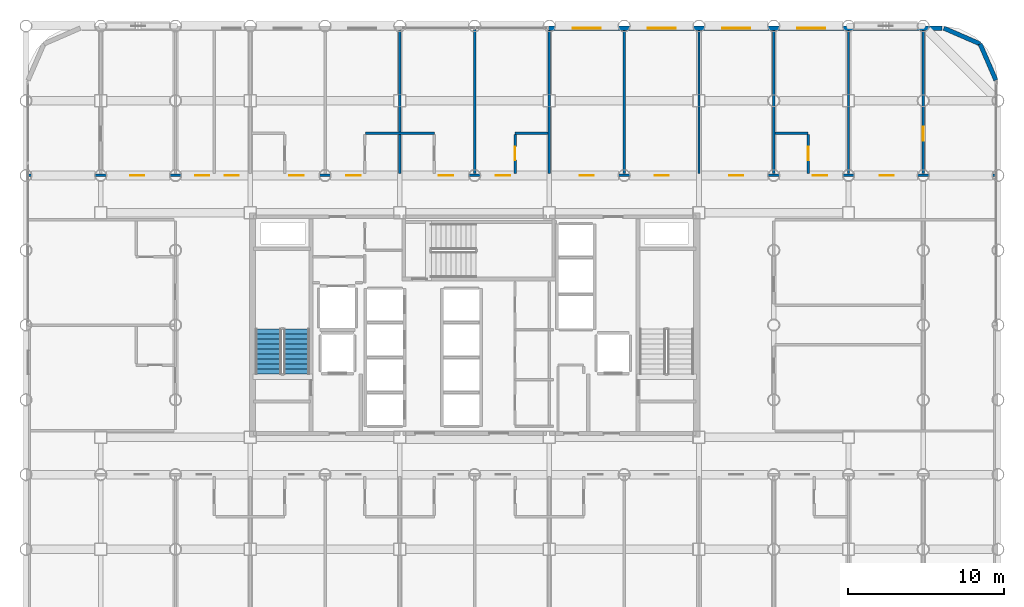
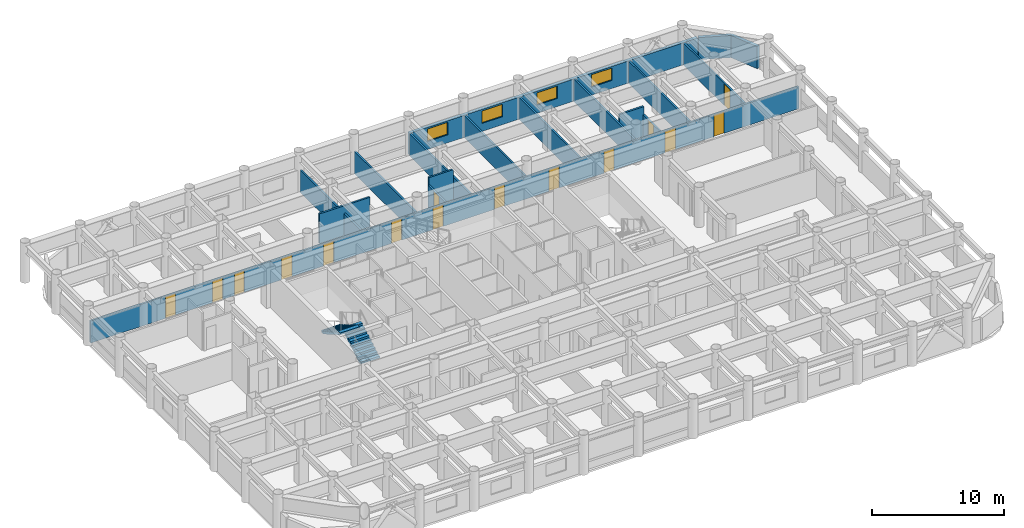
# One storey, part 19 of 21: 17 walls, 15 doors, 4 windows, 2 stair flights, 19 openings, 1 element without a shape of its own.
"""IFC4 building model written with IfcOpenShell, lengths in metres."""

import ifcopenshell
import ifcopenshell.guid

model = None  # the IFC model being written
_history = None  # IfcOwnerHistory: only IFC2X3 demands one
_inside = {}  # id of a spatial element -> (the spatial element, [elements in it])
_under = {}  # id of a project, library or spatial element -> (it, [spatial elements below it])
_declared = {}  # id of a project -> (the project, [libraries it declares])
_typed = {}  # id of a type object -> (the type object, [elements of that type])
_made_of = {}  # id of a material, layer set ... -> (it, [elements and type objects made of it])


def new_model(schema):
    """Start an empty IFC model of exactly this schema.

    Asked for "IFC4X3", IfcOpenShell would pick the latest addendum, in which some entities
    have other attributes; the version numbers below select the first issue.
    IFC2X3 requires an IfcOwnerHistory on every rooted entity: one is made here for all.
    """
    global model, _history
    if schema == "IFC4X3":
        model = ifcopenshell.file(schema_version=(4, 3, 0, 0))
    else:
        model = ifcopenshell.file(schema=schema)
    _inside.clear()
    _under.clear()
    _declared.clear()
    _typed.clear()
    _made_of.clear()
    _history = None
    if model.schema == "IFC2X3":
        org = make("IfcOrganization", Name="unknown")
        user = make(
            "IfcPersonAndOrganization",
            ThePerson=make("IfcPerson", FamilyName="unknown"),
            TheOrganization=org,
        )
        app = make(
            "IfcApplication",
            ApplicationDeveloper=org,
            Version="unknown",
            ApplicationFullName="unknown",
            ApplicationIdentifier="unknown",
        )
        _history = make(
            "IfcOwnerHistory",
            OwningUser=user,
            OwningApplication=app,
            ChangeAction="ADDED",
            CreationDate=0,
        )
    return model


def make(cls, **values):
    """One entity of the class cls with the attributes given. An attribute that is None is left unset."""
    return model.create_entity(
        cls, **{name: value for name, value in values.items() if value is not None}
    )


def rooted(cls, **values):
    """An entity with a GlobalId (a new one), such as an element, a storey or a relation."""
    return make(cls, GlobalId=ifcopenshell.guid.new(), OwnerHistory=_history, **values)


def si_unit(unit_type, name, prefix=None):
    """IfcSIUnit, for example si_unit("LENGTHUNIT", "METRE", prefix="MILLI")."""
    return make("IfcSIUnit", UnitType=unit_type, Prefix=prefix, Name=name)


def assignment(units):
    """IfcUnitAssignment: the units of a project."""
    return None if units is None else make("IfcUnitAssignment", Units=units)


def point(xyz):
    """IfcCartesianPoint."""
    return None if xyz is None else make("IfcCartesianPoint", Coordinates=xyz)


def direction(xyz):
    """IfcDirection."""
    return None if xyz is None else make("IfcDirection", DirectionRatios=xyz)


def frame(location, z_axis=None, x_axis=None):
    """IfcAxis2Placement3D, a coordinate frame: its origin and axes. An axis left out is left unset."""
    return make(
        "IfcAxis2Placement3D",
        Location=point(location),
        Axis=direction(z_axis),
        RefDirection=direction(x_axis),
    )


def frame_2d(location, x_axis=None):
    """IfcAxis2Placement2D, a coordinate frame in the plane: its origin and x axis."""
    return make(
        "IfcAxis2Placement2D", Location=point(location), RefDirection=direction(x_axis)
    )


def origin():
    """The frame at (0, 0, 0) with its axes left unset."""
    return frame((0.0, 0.0, 0.0))


def place(relative_to, where):
    """IfcLocalPlacement: puts the frame where relative to a parent placement (None: the world)."""
    return make(
        "IfcLocalPlacement", PlacementRelTo=relative_to, RelativePlacement=where
    )


def context(
    kind, dimensions, precision=None, world=None, true_north=None, identifier=None
):
    """IfcGeometricRepresentationContext, for example the 3D "Model" context."""
    return make(
        "IfcGeometricRepresentationContext",
        ContextIdentifier=identifier,
        ContextType=kind,
        CoordinateSpaceDimension=dimensions,
        Precision=precision,
        WorldCoordinateSystem=world,
        TrueNorth=true_north,
    )


def subcontext(parent, identifier, kind, view, scale=None):
    """IfcGeometricRepresentationSubContext, for example "Body" below "Model"."""
    return make(
        "IfcGeometricRepresentationSubContext",
        ContextIdentifier=identifier,
        ContextType=kind,
        ParentContext=parent,
        TargetScale=scale,
        TargetView=view,
    )


def project(units=None, contexts=None):
    """IfcProject with its units and contexts."""
    return rooted(
        "IfcProject",
        Name="project",
        RepresentationContexts=contexts,
        UnitsInContext=assignment(units),
    )


def spatial(cls, under=None, at=None, **own):
    """A site, building, storey or space (cls), placed at a placement, below another one or the project."""
    s = rooted(cls, ObjectPlacement=at, **own)
    if under is not None:
        _under.setdefault(under.id(), (under, []))[1].append(s)
    return s


def polyline(points):
    """IfcPolyline through the points."""
    return make("IfcPolyline", Points=[point(p) for p in points])


def profile(cls, at=None, kind="AREA", **sizes):
    """A parametric profile (cls). Its sizes go by their IFC names, for example OverallWidth=200.0."""
    return make(cls, ProfileType=kind, Position=at, **sizes)


def rectangle(**sizes):
    """IfcRectangleProfileDef."""
    return profile("IfcRectangleProfileDef", **sizes)


def outline(outer, holes=None, kind="AREA"):
    """IfcArbitraryClosedProfileDef: a profile drawn as a closed curve; with holes, ...WithVoids."""
    if holes is None:
        return make("IfcArbitraryClosedProfileDef", ProfileType=kind, OuterCurve=outer)
    return make(
        "IfcArbitraryProfileDefWithVoids",
        ProfileType=kind,
        OuterCurve=outer,
        InnerCurves=holes,
    )


def extrude(swept, where, along, depth):
    """IfcExtrudedAreaSolid: the profile swept, set in the frame where, extruded along a direction by depth."""
    return make(
        "IfcExtrudedAreaSolid",
        SweptArea=swept,
        Position=where,
        ExtrudedDirection=direction(along),
        Depth=depth,
    )


def shape(context_of_items, identifier, shape_type, items):
    """IfcShapeRepresentation: the items that make up one representation, for example the "Body"."""
    return make(
        "IfcShapeRepresentation",
        ContextOfItems=context_of_items,
        RepresentationIdentifier=identifier,
        RepresentationType=shape_type,
        Items=items,
    )


def material(Name=None, Category=None):
    """IfcMaterial."""
    return make("IfcMaterial", Name=Name, Category=Category)


def layer(
    of_material, thickness, ventilated=None, Name=None, Category=None, Priority=None
):
    """IfcMaterialLayer: one layer of a wall or slab, of a material (None: an air gap)."""
    return make(
        "IfcMaterialLayer",
        Material=of_material,
        LayerThickness=thickness,
        IsVentilated=ventilated,
        Name=Name,
        Category=Category,
        Priority=Priority,
    )


def layer_set(layers, Name=None):
    """IfcMaterialLayerSet."""
    return make("IfcMaterialLayerSet", MaterialLayers=layers, LayerSetName=Name)


def made_of(thing, what):
    """Note that an element or type object is made of a material, layer set ...; save() writes the relation."""
    if what is not None:
        _made_of.setdefault(what.id(), (what, []))[1].append(thing)
    return thing


def type_object(cls, material=None, **own):
    """A type object (cls), such as IfcWallType, which elements share."""
    return made_of(rooted(cls, **own), material)


def element(
    cls,
    number,
    at=None,
    inside=None,
    cuts=None,
    type_object=None,
    material=None,
    context=None,
    identifier="Body",
    shape_type=None,
    held_by="IfcProductDefinitionShape",
    body=None,
    shapes=None,
    **own,
):
    """One element of the class cls, such as IfcWall. Its Tag is "e" and its number.

    at: its placement. inside: the storey or other place that contains it. cuts: it is an
    opening in that element (IfcRelVoidsElement). A single representation is given by context,
    identifier, shape_type and body (its items); several are given by shapes. held_by: the class
    of the entity that holds the representations. save() writes the other relations.
    """
    e = rooted(cls, Tag="e%d" % number, ObjectPlacement=at, **own)
    if body is not None:
        shapes = [shape(context, identifier, shape_type, body)]
    if shapes is not None:
        e.Representation = make(held_by, Representations=shapes)
    if inside is not None:
        _inside.setdefault(inside.id(), (inside, []))[1].append(e)
    if cuts is not None:
        rooted(
            "IfcRelVoidsElement", RelatingBuildingElement=cuts, RelatedOpeningElement=e
        )
    if type_object is not None:
        _typed.setdefault(type_object.id(), (type_object, []))[1].append(e)
    return made_of(e, material)


def fill(opening, filler):
    """IfcRelFillsElement: the door or window that sits in an opening."""
    return rooted(
        "IfcRelFillsElement",
        RelatingOpeningElement=opening,
        RelatedBuildingElement=filler,
    )


def aggregate(whole, parts):
    """IfcRelAggregates: a whole, such as a stair, and the parts it consists of."""
    return rooted("IfcRelAggregates", RelatingObject=whole, RelatedObjects=parts)


def save(model, path):
    """Write the relations noted so far, then the file.

    IfcRelAggregates (storeys below a building ...), IfcRelContainedInSpatialStructure (elements
    in a storey), IfcRelDefinesByType, IfcRelAssociatesMaterial and IfcRelDeclares: one each for
    every whole, place, type object, material and project.
    """
    for whole, parts in _under.values():
        aggregate(whole, parts)
    for where, things in _inside.values():
        rooted(
            "IfcRelContainedInSpatialStructure",
            RelatedElements=things,
            RelatingStructure=where,
        )
    for kind, things in _typed.values():
        rooted("IfcRelDefinesByType", RelatedObjects=things, RelatingType=kind)
    for what, things in _made_of.values():
        rooted("IfcRelAssociatesMaterial", RelatedObjects=things, RelatingMaterial=what)
    for by, libraries in _declared.values():
        rooted("IfcRelDeclares", RelatingContext=by, RelatedDefinitions=libraries)
    model.write(path)


model = new_model("IFC4")

# Units and contexts
model_context = context("Model", 3, precision=1e-05, world=origin(), true_north=direction((0.0, 1.0)))
body_context = subcontext(model_context, "Body", "Model", "MODEL_VIEW")
ifc_project = project(units=[si_unit("LENGTHUNIT", "METRE"), si_unit("AREAUNIT", "SQUARE_METRE"), si_unit("VOLUMEUNIT", "CUBIC_METRE"), si_unit("PLANEANGLEUNIT", "RADIAN"), si_unit("MASSUNIT", "GRAM", prefix="KILO")], contexts=[model_context])

# Site, building, storey
site_placement = place(None, origin())
site = spatial("IfcSite", under=ifc_project, at=site_placement, CompositionType="ELEMENT")
building_placement = place(site_placement, origin())
building = spatial("IfcBuilding", under=site, at=building_placement, Name="Kallvorn Hotel Tower", CompositionType="ELEMENT")
storey_placement = place(building_placement, frame((0.0, 0.0, 85.5)))
storey = spatial("IfcBuildingStorey", under=building, at=storey_placement, Name="L20", CompositionType="ELEMENT", Elevation=85.5)

# Wall, openings, doors
ifc_material_1 = material(Name="Fire-rated double-layer acoustic gypsum drywall EI 60")
ifc_layer_1 = layer(ifc_material_1, 0.159912109375)
ifc_layer_set_1 = layer_set([ifc_layer_1], Name="WL_DEMISE_160")
wall_type_1 = type_object("IfcWallType", Name="WL_DEMISE_160", PredefinedType="PARTITIONING", material=ifc_layer_set_1)
wall_1_placement = place(storey_placement, frame((-28.6298828125, 9.60009765625, 0.0), z_axis=(0.0, 0.0, 1.0), x_axis=(1.0, 0.0, 0.0)))
wall_1 = element("IfcWall", 1, at=wall_1_placement, inside=storey, type_object=wall_type_1, Name="L20 Suite 2010 Standard Twin Room Partition", PredefinedType="PARTITIONING", context=body_context, shape_type="SweptSolid", body=[
    extrude(rectangle(XDim=62.059814453125, YDim=0.159912109375, at=frame_2d((31.02978515625, 0.0))), origin(), (0.0, 0.0, 1.0), 2.050048828125),
])
opening_1_placement = place(wall_1_placement, frame((6.5400390625, 0.0, 0.0)))
opening_1 = element("IfcOpeningElement", 2, at=opening_1_placement, cuts=wall_1, Name="Opening SVD1A", PredefinedType="OPENING", context=body_context, shape_type="SweptSolid", body=[
    extrude(rectangle(XDim=0.89990234375, YDim=2.02001953125, at=frame_2d((0.449951171875, 1.010009765625))), frame((0.0, 0.094970703125, 0.0), z_axis=(0.0, -1.0, 0.0), x_axis=(1.0, 0.0, 0.0)), (0.0, 0.0, 1.0), 0.18994140625),
])
opening_2_placement = place(wall_1_placement, frame((54.6201171875, 0.0, 0.0)))
opening_2 = element("IfcOpeningElement", 3, at=opening_2_placement, cuts=wall_1, Name="Opening SVD1A", PredefinedType="OPENING", context=body_context, shape_type="SweptSolid", body=[
    extrude(rectangle(XDim=0.89990234375, YDim=2.02001953125, at=frame_2d((0.449951171875, 1.010009765625))), frame((0.0, 0.094970703125, 0.0), z_axis=(0.0, -1.0, 0.0), x_axis=(1.0, 0.0, 0.0)), (0.0, 0.0, 1.0), 0.18994140625),
])
opening_3_placement = place(wall_1_placement, frame((10.68994140625, 0.0, 0.0)))
opening_3 = element("IfcOpeningElement", 4, at=opening_3_placement, cuts=wall_1, Name="Opening SVD1A", PredefinedType="OPENING", context=body_context, shape_type="SweptSolid", body=[
    extrude(rectangle(XDim=0.89990234375, YDim=2.02001953125, at=frame_2d((0.449951171875, 1.010009765625))), frame((0.0, 0.094970703125, 0.0), z_axis=(0.0, -1.0, 0.0), x_axis=(1.0, 0.0, 0.0)), (0.0, 0.0, 1.0), 0.18994140625),
])
opening_4_placement = place(wall_1_placement, frame((12.580078125, 0.0, 0.0)))
opening_4 = element("IfcOpeningElement", 5, at=opening_4_placement, cuts=wall_1, Name="Opening SVD1A", PredefinedType="OPENING", context=body_context, shape_type="SweptSolid", body=[
    extrude(rectangle(XDim=0.89990234375, YDim=2.02001953125, at=frame_2d((0.449951171875, 1.010009765625))), frame((0.0, 0.094970703125, 0.0), z_axis=(0.0, -1.0, 0.0), x_axis=(1.0, 0.0, 0.0)), (0.0, 0.0, 1.0), 0.18994140625),
])
opening_5_placement = place(wall_1_placement, frame((16.739990234375, 0.0, 0.0)))
opening_5 = element("IfcOpeningElement", 6, at=opening_5_placement, cuts=wall_1, Name="Opening GD1A", PredefinedType="OPENING", context=body_context, shape_type="SweptSolid", body=[
    extrude(rectangle(XDim=0.919921875, YDim=2.02001953125, at=frame_2d((0.4599609375, 1.010009765625))), frame((0.0, 0.094970703125, 0.0), z_axis=(0.0, -1.0, 0.0), x_axis=(1.0, 0.0, 0.0)), (0.0, 0.0, 1.0), 0.18994140625),
])
opening_6_placement = place(wall_1_placement, frame((20.39990234375, 0.0, 0.0)))
opening_6 = element("IfcOpeningElement", 7, at=opening_6_placement, cuts=wall_1, Name="Opening GD1A", PredefinedType="OPENING", context=body_context, shape_type="SweptSolid", body=[
    extrude(rectangle(XDim=0.919921875, YDim=2.02001953125, at=frame_2d((0.4599609375, 1.010009765625))), frame((0.0, 0.094970703125, 0.0), z_axis=(0.0, -1.0, 0.0), x_axis=(1.0, 0.0, 0.0)), (0.0, 0.0, 1.0), 0.18994140625),
])
opening_7_placement = place(wall_1_placement, frame((26.340087890625, 0.0, 0.0)))
opening_7 = element("IfcOpeningElement", 8, at=opening_7_placement, cuts=wall_1, Name="Opening GD1A", PredefinedType="OPENING", context=body_context, shape_type="SweptSolid", body=[
    extrude(rectangle(XDim=0.919921875, YDim=2.02001953125, at=frame_2d((0.4599609375, 1.010009765625))), frame((0.0, 0.094970703125, 0.0), z_axis=(0.0, -1.0, 0.0), x_axis=(1.0, 0.0, 0.0)), (0.0, 0.0, 1.0), 0.18994140625),
])
opening_8_placement = place(wall_1_placement, frame((30.0, 0.0, 0.0)))
opening_8 = element("IfcOpeningElement", 9, at=opening_8_placement, cuts=wall_1, Name="Opening GD1A", PredefinedType="OPENING", context=body_context, shape_type="SweptSolid", body=[
    extrude(rectangle(XDim=0.919921875, YDim=2.02001953125, at=frame_2d((0.4599609375, 1.010009765625))), frame((0.0, 0.094970703125, 0.0), z_axis=(0.0, -1.0, 0.0), x_axis=(1.0, 0.0, 0.0)), (0.0, 0.0, 1.0), 0.18994140625),
])
opening_9_placement = place(wall_1_placement, frame((35.3798828125, 0.0, 0.0)))
opening_9 = element("IfcOpeningElement", 10, at=opening_9_placement, cuts=wall_1, Name="Opening SVD1A", PredefinedType="OPENING", context=body_context, shape_type="SweptSolid", body=[
    extrude(rectangle(XDim=0.89990234375, YDim=2.02001953125, at=frame_2d((0.449951171875, 1.010009765625))), frame((0.0, 0.094970703125, 0.0), z_axis=(0.0, -1.0, 0.0), x_axis=(1.0, 0.0, 0.0)), (0.0, 0.0, 1.0), 0.18994140625),
])
opening_10_placement = place(wall_1_placement, frame((40.179931640625, 0.0, 0.0)))
opening_10 = element("IfcOpeningElement", 11, at=opening_10_placement, cuts=wall_1, Name="Opening SVD1A", PredefinedType="OPENING", context=body_context, shape_type="SweptSolid", body=[
    extrude(rectangle(XDim=0.89990234375, YDim=2.02001953125, at=frame_2d((0.449951171875, 1.010009765625))), frame((0.0, 0.094970703125, 0.0), z_axis=(0.0, -1.0, 0.0), x_axis=(1.0, 0.0, 0.0)), (0.0, 0.0, 1.0), 0.18994140625),
])
opening_11_placement = place(wall_1_placement, frame((44.97998046875, 0.0, 0.0)))
opening_11 = element("IfcOpeningElement", 12, at=opening_11_placement, cuts=wall_1, Name="Opening SVD1A", PredefinedType="OPENING", context=body_context, shape_type="SweptSolid", body=[
    extrude(rectangle(XDim=0.89990234375, YDim=2.02001953125, at=frame_2d((0.449951171875, 1.010009765625))), frame((0.0, 0.094970703125, 0.0), z_axis=(0.0, -1.0, 0.0), x_axis=(1.0, 0.0, 0.0)), (0.0, 0.0, 1.0), 0.18994140625),
])
opening_12_placement = place(wall_1_placement, frame((50.340087890625, 0.0, 0.0)))
opening_12 = element("IfcOpeningElement", 13, at=opening_12_placement, cuts=wall_1, Name="Opening GD1A", PredefinedType="OPENING", context=body_context, shape_type="SweptSolid", body=[
    extrude(rectangle(XDim=0.919921875, YDim=2.02001953125, at=frame_2d((0.4599609375, 1.010009765625))), frame((0.0, 0.094970703125, 0.0), z_axis=(0.0, -1.0, 0.0), x_axis=(1.0, 0.0, 0.0)), (0.0, 0.0, 1.0), 0.18994140625),
])
ifc_material_2 = material(Name="Solid-core walnut veneer fire-rated timber door leaf", Category="wood")
door_type_1 = type_object("IfcDoorType", Name="DR_GUEST_920x2020", OperationType="NOTDEFINED", PredefinedType="DOOR", material=ifc_material_2)
door_1_placement = place(opening_5_placement, origin())
door_1 = element("IfcDoor", 14, at=door_1_placement, inside=storey, type_object=door_type_1, Name="L20 Suite 2010 Standard Twin Room Door", OperationType="SINGLE_SWING_LEFT", OverallHeight=2.02001953125, OverallWidth=0.919921875, PredefinedType="DOOR", context=body_context, shape_type="SweptSolid", body=[
    extrude(rectangle(XDim=0.919921875, YDim=2.02001953125, at=frame_2d((0.4599609375, 1.010009765625))), frame((0.0, 0.02490234375, 0.0), z_axis=(0.0, -1.0, 0.0), x_axis=(1.0, 0.0, 0.0)), (0.0, 0.0, 1.0), 0.050048828125),
])
fill(opening_5, door_1)
door_2_placement = place(opening_6_placement, origin())
door_2 = element("IfcDoor", 15, at=door_2_placement, inside=storey, type_object=door_type_1, Name="L20 Suite 2011 Standard Twin Room Door", OperationType="SINGLE_SWING_RIGHT", OverallHeight=2.02001953125, OverallWidth=0.919921875, PredefinedType="DOOR", context=body_context, shape_type="SweptSolid", body=[
    extrude(rectangle(XDim=0.919921875, YDim=2.02001953125, at=frame_2d((0.4599609375, 1.010009765625))), frame((0.0, 0.02490234375, 0.0), z_axis=(0.0, -1.0, 0.0), x_axis=(1.0, 0.0, 0.0)), (0.0, 0.0, 1.0), 0.050048828125),
])
fill(opening_6, door_2)
door_3_placement = place(opening_7_placement, origin())
door_3 = element("IfcDoor", 16, at=door_3_placement, inside=storey, type_object=door_type_1, Name="L20 Suite 2012 Standard Twin Room Door", OperationType="SINGLE_SWING_RIGHT", OverallHeight=2.02001953125, OverallWidth=0.919921875, PredefinedType="DOOR", context=body_context, shape_type="SweptSolid", body=[
    extrude(rectangle(XDim=0.919921875, YDim=2.02001953125, at=frame_2d((0.4599609375, 1.010009765625))), frame((0.0, 0.02490234375, 0.0), z_axis=(0.0, -1.0, 0.0), x_axis=(1.0, 0.0, 0.0)), (0.0, 0.0, 1.0), 0.050048828125),
])
fill(opening_7, door_3)
door_4_placement = place(opening_8_placement, origin())
door_4 = element("IfcDoor", 17, at=door_4_placement, inside=storey, type_object=door_type_1, Name="L20 Suite 2013 Standard Twin Room Door", OperationType="SINGLE_SWING_RIGHT", OverallHeight=2.02001953125, OverallWidth=0.919921875, PredefinedType="DOOR", context=body_context, shape_type="SweptSolid", body=[
    extrude(rectangle(XDim=0.919921875, YDim=2.02001953125, at=frame_2d((0.4599609375, 1.010009765625))), frame((0.0, 0.02490234375, 0.0), z_axis=(0.0, -1.0, 0.0), x_axis=(1.0, 0.0, 0.0)), (0.0, 0.0, 1.0), 0.050048828125),
])
fill(opening_8, door_4)
door_5_placement = place(opening_12_placement, origin())
door_5 = element("IfcDoor", 18, at=door_5_placement, inside=storey, type_object=door_type_1, Name="L20 Suite 2014 Standard Twin Room Door", OperationType="SINGLE_SWING_LEFT", OverallHeight=2.02001953125, OverallWidth=0.919921875, PredefinedType="DOOR", context=body_context, shape_type="SweptSolid", body=[
    extrude(rectangle(XDim=0.919921875, YDim=2.02001953125, at=frame_2d((0.4599609375, 1.010009765625))), frame((0.0, 0.02490234375, 0.0), z_axis=(0.0, -1.0, 0.0), x_axis=(1.0, 0.0, 0.0)), (0.0, 0.0, 1.0), 0.050048828125),
])
fill(opening_12, door_5)
ifc_material_3 = material(Name="Galvanised painted steel fire-rated door assembly", Category="steel")
door_type_2 = type_object("IfcDoorType", Name="DR_SERV_900x2020", OperationType="NOTDEFINED", PredefinedType="DOOR", material=ifc_material_3)
door_6_placement = place(opening_1_placement, origin())
door_6 = element("IfcDoor", 19, at=door_6_placement, inside=storey, type_object=door_type_2, Name="L20 L20 North-West Fitness Gymnasium B Door", OperationType="SINGLE_SWING_RIGHT", OverallHeight=2.02001953125, OverallWidth=0.89990234375, PredefinedType="DOOR", context=body_context, shape_type="SweptSolid", body=[
    extrude(rectangle(XDim=0.89990234375, YDim=2.02001953125, at=frame_2d((0.449951171875, 1.010009765625))), frame((0.0, 0.02490234375, 0.0), z_axis=(0.0, -1.0, 0.0), x_axis=(1.0, 0.0, 0.0)), (0.0, 0.0, 1.0), 0.050048828125),
])
fill(opening_1, door_6)
door_7_placement = place(opening_2_placement, origin())
door_7 = element("IfcDoor", 20, at=door_7_placement, inside=storey, type_object=door_type_2, Name="L20 L20 North-East Reading Club A Door", OperationType="SINGLE_SWING_LEFT", OverallHeight=2.02001953125, OverallWidth=0.89990234375, PredefinedType="DOOR", context=body_context, shape_type="SweptSolid", body=[
    extrude(rectangle(XDim=0.89990234375, YDim=2.02001953125, at=frame_2d((0.449951171875, 1.010009765625))), frame((0.0, 0.02490234375, 0.0), z_axis=(0.0, -1.0, 0.0), x_axis=(1.0, 0.0, 0.0)), (0.0, 0.0, 1.0), 0.050048828125),
])
fill(opening_2, door_7)
door_8_placement = place(opening_3_placement, origin())
door_8 = element("IfcDoor", 21, at=door_8_placement, inside=storey, type_object=door_type_2, Name="L20 Housekeeping and Linen Room Door", OperationType="SINGLE_SWING_LEFT", OverallHeight=2.02001953125, OverallWidth=0.89990234375, PredefinedType="DOOR", context=body_context, shape_type="SweptSolid", body=[
    extrude(rectangle(XDim=0.89990234375, YDim=2.02001953125, at=frame_2d((0.449951171875, 1.010009765625))), frame((0.0, 0.02490234375, 0.0), z_axis=(0.0, -1.0, 0.0), x_axis=(1.0, 0.0, 0.0)), (0.0, 0.0, 1.0), 0.050048828125),
])
fill(opening_3, door_8)
door_9_placement = place(opening_4_placement, origin())
door_9 = element("IfcDoor", 22, at=door_9_placement, inside=storey, type_object=door_type_2, Name="L20 Guest Tea and Refreshment Bar Door", OperationType="SINGLE_SWING_RIGHT", OverallHeight=2.02001953125, OverallWidth=0.89990234375, PredefinedType="DOOR", context=body_context, shape_type="SweptSolid", body=[
    extrude(rectangle(XDim=0.89990234375, YDim=2.02001953125, at=frame_2d((0.449951171875, 1.010009765625))), frame((0.0, 0.02490234375, 0.0), z_axis=(0.0, -1.0, 0.0), x_axis=(1.0, 0.0, 0.0)), (0.0, 0.0, 1.0), 0.050048828125),
])
fill(opening_4, door_9)
door_10_placement = place(opening_9_placement, origin())
door_10 = element("IfcDoor", 23, at=door_10_placement, inside=storey, type_object=door_type_2, Name="L20 L20 Executive Co-Working Open-Plan Office 6-1 Door", OperationType="SINGLE_SWING_RIGHT", OverallHeight=2.02001953125, OverallWidth=0.89990234375, PredefinedType="DOOR", context=body_context, shape_type="SweptSolid", body=[
    extrude(rectangle(XDim=0.89990234375, YDim=2.02001953125, at=frame_2d((0.449951171875, 1.010009765625))), frame((0.0, 0.02490234375, 0.0), z_axis=(0.0, -1.0, 0.0), x_axis=(1.0, 0.0, 0.0)), (0.0, 0.0, 1.0), 0.050048828125),
])
fill(opening_9, door_10)
door_11_placement = place(opening_10_placement, origin())
door_11 = element("IfcDoor", 24, at=door_11_placement, inside=storey, type_object=door_type_2, Name="L20 L20 Executive Co-Working Open-Plan Office 6-2 Door", OperationType="SINGLE_SWING_RIGHT", OverallHeight=2.02001953125, OverallWidth=0.89990234375, PredefinedType="DOOR", context=body_context, shape_type="SweptSolid", body=[
    extrude(rectangle(XDim=0.89990234375, YDim=2.02001953125, at=frame_2d((0.449951171875, 1.010009765625))), frame((0.0, 0.02490234375, 0.0), z_axis=(0.0, -1.0, 0.0), x_axis=(1.0, 0.0, 0.0)), (0.0, 0.0, 1.0), 0.050048828125),
])
fill(opening_10, door_11)
door_12_placement = place(opening_11_placement, origin())
door_12 = element("IfcDoor", 25, at=door_12_placement, inside=storey, type_object=door_type_2, Name="L20 L20 Executive Co-Working Open-Plan Office 6-3 Door", OperationType="SINGLE_SWING_LEFT", OverallHeight=2.02001953125, OverallWidth=0.89990234375, PredefinedType="DOOR", context=body_context, shape_type="SweptSolid", body=[
    extrude(rectangle(XDim=0.89990234375, YDim=2.02001953125, at=frame_2d((0.449951171875, 1.010009765625))), frame((0.0, 0.02490234375, 0.0), z_axis=(0.0, -1.0, 0.0), x_axis=(1.0, 0.0, 0.0)), (0.0, 0.0, 1.0), 0.050048828125),
])
fill(opening_11, door_12)

# Walls
wall_2_placement = place(storey_placement, frame((-7.010009765625, 12.320068359375, 0.0), z_axis=(0.0, 0.0, 1.0), x_axis=(1.0, 0.0, 0.0)))
element("IfcWall", 26, at=wall_2_placement, inside=storey, type_object=wall_type_1, Name="L20 Suite 2011 Standard Twin Room Partition", PredefinedType="PARTITIONING", context=body_context, shape_type="SweptSolid", body=[
    extrude(rectangle(XDim=4.419921875, YDim=0.159912109375, at=frame_2d((2.2099609375, 0.0))), origin(), (0.0, 0.0, 1.0), 2.75),
])
for number, where, z_axis, x_axis, name in (
    (27, (2.590087890625, 12.320068359375, 0.0), (0.0, 0.0, 1.0), (1.0, 0.0, 0.0), "L20 Suite 2013 Standard Twin Room Partition"),
    (28, (19.280029296875, 12.320068359375, 0.0), (0.0, 0.0, 1.0), (1.0, 0.0, 0.0), "L20 Suite 2014 Standard Twin Room Partition"),
):
    element("IfcWall", number, at=place(storey_placement, frame(where, z_axis=z_axis, x_axis=x_axis)), inside=storey, type_object=wall_type_1, Name=name, PredefinedType="PARTITIONING", context=body_context, shape_type="SweptSolid", body=[
        extrude(rectangle(XDim=2.1298828125, YDim=0.159912109375, at=frame_2d((1.06494140625, 0.0))), origin(), (0.0, 0.0, 1.0), 2.75),
    ])
wall_3_placement = place(storey_placement, frame((-4.800048828125, 9.719970703125, 0.0), z_axis=(0.0, 0.0, 1.0), x_axis=(0.0, 1.0, 0.0)))
element("IfcWall", 29, at=wall_3_placement, inside=storey, type_object=wall_type_1, Name="L20 Suite 2011 Standard Twin Room Partition", PredefinedType="PARTITIONING", context=body_context, shape_type="SweptSolid", body=[
    extrude(rectangle(XDim=9.18994140625, YDim=0.159912109375, at=frame_2d((4.594970703125, 0.0))), origin(), (0.0, 0.0, 1.0), 2.050048828125),
])
wall_4_placement = place(storey_placement, frame((0.0, 9.719970703125, 0.0), z_axis=(0.0, 0.0, 1.0), x_axis=(0.0, 1.0, 0.0)))
element("IfcWall", 30, at=wall_4_placement, inside=storey, type_object=wall_type_1, Name="L20 Suite 2012 Standard Twin Room Partition", PredefinedType="PARTITIONING", context=body_context, shape_type="SweptSolid", body=[
    extrude(rectangle(XDim=9.275146484375, YDim=0.159912109375, at=frame_2d((4.6376953125, 0.0))), origin(), (0.0, 0.0, 1.0), 2.050048828125),
])

# Wall, opening, door
wall_5_placement = place(storey_placement, frame((2.59423828125, 9.719970703125, 0.0), z_axis=(0.0, 0.0, 1.0), x_axis=(0.0, 1.0, 0.0)))
wall_5 = element("IfcWall", 31, at=wall_5_placement, inside=storey, type_object=wall_type_1, Name="L20 Suite 2013 Standard Twin Room Partition", PredefinedType="PARTITIONING", context=body_context, shape_type="SweptSolid", body=[
    extrude(rectangle(XDim=2.51513671875, YDim=0.159912109375, at=frame_2d((1.257568359375, 0.0))), origin(), (0.0, 0.0, 1.0), 2.050048828125),
])
opening_13_placement = place(wall_5_placement, frame((0.8701171875, 0.0, 0.0)))
opening_13 = element("IfcOpeningElement", 32, at=opening_13_placement, cuts=wall_5, Name="Opening BD-IA", PredefinedType="OPENING", context=body_context, shape_type="SweptSolid", body=[
    extrude(rectangle(XDim=0.860107421875, YDim=2.02001953125, at=frame_2d((0.43017578125, 1.010009765625))), frame((0.0, 0.094970703125, 0.0), z_axis=(0.0, -1.0, 0.0), x_axis=(1.0, 0.0, 0.0)), (0.0, 0.0, 1.0), 0.18994140625),
])
ifc_material_4 = material(Name="Solid-core walnut veneer fire-rated timber door leaf", Category="wood")
door_type_3 = type_object("IfcDoorType", Name="DR_BATH_860x2020", OperationType="NOTDEFINED", PredefinedType="DOOR", material=ifc_material_4)
door_13_placement = place(opening_13_placement, origin())
door_13 = element("IfcDoor", 33, at=door_13_placement, inside=storey, type_object=door_type_3, Name="L20 Suite 2013 En-Suite Bathroom Door", OperationType="SINGLE_SWING_RIGHT", OverallHeight=2.02001953125, OverallWidth=0.860107421875, PredefinedType="DOOR", context=body_context, shape_type="SweptSolid", body=[
    extrude(rectangle(XDim=0.860107421875, YDim=2.02001953125, at=frame_2d((0.43017578125, 1.010009765625))), frame((0.0, 0.02490234375, 0.0), z_axis=(0.0, -1.0, 0.0), x_axis=(1.0, 0.0, 0.0)), (0.0, 0.0, 1.0), 0.050048828125),
])
fill(opening_13, door_13)

# Walls
for number, where, z_axis, x_axis, name in (
    (34, (4.800048828125, 9.719970703125, 0.0), (0.0, 0.0, 1.0), (0.0, 1.0, 0.0), "L20 Suite 2013 Standard Twin Room Partition"),
    (35, (19.199951171875, 9.719970703125, 0.0), (0.0, 0.0, 1.0), (0.0, 1.0, 0.0), "L20 Suite 2014 Standard Twin Room Partition"),
):
    element("IfcWall", number, at=place(storey_placement, frame(where, z_axis=z_axis, x_axis=x_axis)), inside=storey, type_object=wall_type_1, Name=name, PredefinedType="PARTITIONING", context=body_context, shape_type="SweptSolid", body=[
        extrude(rectangle(XDim=9.18994140625, YDim=0.159912109375, at=frame_2d((4.594970703125, 0.0))), origin(), (0.0, 0.0, 1.0), 2.050048828125),
    ])

# Wall, opening, door
wall_6_placement = place(storey_placement, frame((21.409912109375, 9.719970703125, 0.0), z_axis=(0.0, 0.0, 1.0), x_axis=(0.0, 1.0, 0.0)))
wall_6 = element("IfcWall", 36, at=wall_6_placement, inside=storey, type_object=wall_type_1, Name="L20 Suite 2014 Standard Twin Room Partition", PredefinedType="PARTITIONING", context=body_context, shape_type="SweptSolid", body=[
    extrude(rectangle(XDim=2.51513671875, YDim=0.159912109375, at=frame_2d((1.257568359375, 0.0))), origin(), (0.0, 0.0, 1.0), 2.050048828125),
])
opening_14_placement = place(wall_6_placement, frame((0.8701171875, 0.0, 0.0)))
opening_14 = element("IfcOpeningElement", 37, at=opening_14_placement, cuts=wall_6, Name="Opening BD-IA", PredefinedType="OPENING", context=body_context, shape_type="SweptSolid", body=[
    extrude(rectangle(XDim=0.860107421875, YDim=2.02001953125, at=frame_2d((0.43017578125, 1.010009765625))), frame((0.0, 0.094970703125, 0.0), z_axis=(0.0, -1.0, 0.0), x_axis=(1.0, 0.0, 0.0)), (0.0, 0.0, 1.0), 0.18994140625),
])
door_14_placement = place(opening_14_placement, origin())
door_14 = element("IfcDoor", 38, at=door_14_placement, inside=storey, type_object=door_type_3, Name="L20 Suite 2014 En-Suite Bathroom Door", OperationType="SINGLE_SWING_RIGHT", OverallHeight=2.02001953125, OverallWidth=0.860107421875, PredefinedType="DOOR", context=body_context, shape_type="SweptSolid", body=[
    extrude(rectangle(XDim=0.860107421875, YDim=2.02001953125, at=frame_2d((0.43017578125, 1.010009765625))), frame((0.0, 0.02490234375, 0.0), z_axis=(0.0, -1.0, 0.0), x_axis=(1.0, 0.0, 0.0)), (0.0, 0.0, 1.0), 0.050048828125),
])
fill(opening_14, door_14)

# Walls
wall_7_placement = place(storey_placement, frame((24.0, 9.719970703125, 0.0), z_axis=(0.0, 0.0, 1.0), x_axis=(0.0, 1.0, 0.0)))
element("IfcWall", 39, at=wall_7_placement, inside=storey, type_object=wall_type_1, Name="L20 Suite 2014 Standard Twin Room Partition", PredefinedType="PARTITIONING", context=body_context, shape_type="SweptSolid", body=[
    extrude(rectangle(XDim=9.18994140625, YDim=0.159912109375, at=frame_2d((4.594970703125, 0.0))), origin(), (0.0, 0.0, 1.0), 2.050048828125),
])
ifc_material_5 = material(Name="Precast basalt-clad insulated concrete wall C40/50", Category="masonry")
ifc_layer_2 = layer(ifc_material_5, 0.280029296875)
ifc_layer_set_2 = layer_set([ifc_layer_2], Name="WL_EXT_LOGGIA_280")
wall_type_2 = type_object("IfcWallType", Name="WL_EXT_LOGGIA_280", PredefinedType="SOLIDWALL", material=ifc_layer_set_2)
wall_8_placement = place(storey_placement, frame((33.4580078125, 15.720703125, 0.0), z_axis=(0.0, 0.0, 1.0), x_axis=(-0.398792985289, 0.917040977756, 0.0)))
element("IfcWall", 40, at=wall_8_placement, inside=storey, type_object=wall_type_2, Name="L20 Rounded Corner Exterior Wall NE1", PredefinedType="SOLIDWALL", context=body_context, shape_type="SweptSolid", body=[
    extrude(rectangle(XDim=2.536376953125, YDim=0.280029296875, at=frame_2d((1.26806640625, 0.0))), origin(), (0.0, 0.0, 1.0), 2.050048828125),
])
wall_9_placement = place(storey_placement, frame((32.446533203125, 18.046630859375, 0.0), z_axis=(0.0, 0.0, 1.0), x_axis=(-0.917060872934, 0.398747232384, 0.0)))
element("IfcWall", 41, at=wall_9_placement, inside=storey, type_object=wall_type_2, Name="L20 Rounded Corner Exterior Wall NE2", PredefinedType="SOLIDWALL", context=body_context, shape_type="SweptSolid", body=[
    extrude(rectangle(XDim=2.5361328125, YDim=0.280029296875, at=frame_2d((1.26806640625, 0.0))), origin(), (0.0, 0.0, 1.0), 2.050048828125),
])

# Wall, openings, windows
wall_10_placement = place(storey_placement, frame((4.75, 19.06005859375, 0.0), z_axis=(0.0, 0.0, 1.0), x_axis=(1.0, 0.0, 0.0)))
wall_10 = element("IfcWall", 42, at=wall_10_placement, inside=storey, type_object=wall_type_2, Name="L20 Exterior Envelope Wall EW-L20-NE", PredefinedType="SOLIDWALL", context=body_context, shape_type="SweptSolid", body=[
    extrude(rectangle(XDim=25.25, YDim=0.280029296875, at=frame_2d((12.625, 0.0))), origin(), (0.0, 0.0, 1.0), 2.050048828125),
])
opening_15_placement = place(wall_10_placement, frame((1.550048828125, 0.0, 0.75)))
opening_15 = element("IfcOpeningElement", 43, at=opening_15_placement, cuts=wall_10, Name="Opening W04A", PredefinedType="OPENING", context=body_context, shape_type="SweptSolid", body=[
    extrude(rectangle(XDim=1.800048828125, YDim=1.14990234375, at=frame_2d((0.89990234375, 0.574951171875))), frame((0.0, 0.155029296875, 0.0), z_axis=(0.0, -1.0, 0.0), x_axis=(1.0, 0.0, 0.0)), (0.0, 0.0, 1.0), 0.31005859375),
])
opening_16_placement = place(wall_10_placement, frame((6.35009765625, 0.0, 0.75)))
opening_16 = element("IfcOpeningElement", 44, at=opening_16_placement, cuts=wall_10, Name="Opening W04A", PredefinedType="OPENING", context=body_context, shape_type="SweptSolid", body=[
    extrude(rectangle(XDim=1.800048828125, YDim=1.14990234375, at=frame_2d((0.89990234375, 0.574951171875))), frame((0.0, 0.155029296875, 0.0), z_axis=(0.0, -1.0, 0.0), x_axis=(1.0, 0.0, 0.0)), (0.0, 0.0, 1.0), 0.31005859375),
])
opening_17_placement = place(wall_10_placement, frame((11.14990234375, 0.0, 0.75)))
opening_17 = element("IfcOpeningElement", 45, at=opening_17_placement, cuts=wall_10, Name="Opening W04A", PredefinedType="OPENING", context=body_context, shape_type="SweptSolid", body=[
    extrude(rectangle(XDim=1.800048828125, YDim=1.14990234375, at=frame_2d((0.89990234375, 0.574951171875))), frame((0.0, 0.155029296875, 0.0), z_axis=(0.0, -1.0, 0.0), x_axis=(1.0, 0.0, 0.0)), (0.0, 0.0, 1.0), 0.31005859375),
])
opening_18_placement = place(wall_10_placement, frame((15.949951171875, 0.0, 0.75)))
opening_18 = element("IfcOpeningElement", 46, at=opening_18_placement, cuts=wall_10, Name="Opening W04A", PredefinedType="OPENING", context=body_context, shape_type="SweptSolid", body=[
    extrude(rectangle(XDim=1.800048828125, YDim=1.14990234375, at=frame_2d((0.89990234375, 0.574951171875))), frame((0.0, 0.155029296875, 0.0), z_axis=(0.0, -1.0, 0.0), x_axis=(1.0, 0.0, 0.0)), (0.0, 0.0, 1.0), 0.31005859375),
])
ifc_material_6 = material(Name="Double-glazed low-e solar-control dark glass", Category="glass")
window_type = type_object("IfcWindowType", Name="WN_HTL_1800x1150", PartitioningType="SINGLE_PANEL", PredefinedType="WINDOW", material=ifc_material_6)
window_1_placement = place(opening_15_placement, origin())
window_1 = element("IfcWindow", 47, at=window_1_placement, inside=storey, type_object=window_type, Name="L20 Guestroom Exterior Window 12", OverallHeight=1.14990234375, OverallWidth=1.800048828125, PartitioningType="SINGLE_PANEL", PredefinedType="WINDOW", context=body_context, shape_type="SweptSolid", body=[
    extrude(rectangle(XDim=1.800048828125, YDim=1.14990234375, at=frame_2d((0.89990234375, 0.574951171875))), frame((0.0, 0.030029296875, 0.0), z_axis=(0.0, -1.0, 0.0), x_axis=(1.0, 0.0, 0.0)), (0.0, 0.0, 1.0), 0.06005859375),
])
fill(opening_15, window_1)
window_2_placement = place(opening_16_placement, origin())
window_2 = element("IfcWindow", 48, at=window_2_placement, inside=storey, type_object=window_type, Name="L20 Guestroom Exterior Window 13", OverallHeight=1.14990234375, OverallWidth=1.800048828125, PartitioningType="SINGLE_PANEL", PredefinedType="WINDOW", context=body_context, shape_type="SweptSolid", body=[
    extrude(rectangle(XDim=1.800048828125, YDim=1.14990234375, at=frame_2d((0.89990234375, 0.574951171875))), frame((0.0, 0.030029296875, 0.0), z_axis=(0.0, -1.0, 0.0), x_axis=(1.0, 0.0, 0.0)), (0.0, 0.0, 1.0), 0.06005859375),
])
fill(opening_16, window_2)
window_3_placement = place(opening_17_placement, origin())
window_3 = element("IfcWindow", 49, at=window_3_placement, inside=storey, type_object=window_type, Name="L20 Guestroom Exterior Window 14", OverallHeight=1.14990234375, OverallWidth=1.800048828125, PartitioningType="SINGLE_PANEL", PredefinedType="WINDOW", context=body_context, shape_type="SweptSolid", body=[
    extrude(rectangle(XDim=1.800048828125, YDim=1.14990234375, at=frame_2d((0.89990234375, 0.574951171875))), frame((0.0, 0.030029296875, 0.0), z_axis=(0.0, -1.0, 0.0), x_axis=(1.0, 0.0, 0.0)), (0.0, 0.0, 1.0), 0.06005859375),
])
fill(opening_17, window_3)
window_4_placement = place(opening_18_placement, origin())
window_4 = element("IfcWindow", 50, at=window_4_placement, inside=storey, type_object=window_type, Name="L20 Guestroom Exterior Window 15", OverallHeight=1.14990234375, OverallWidth=1.800048828125, PartitioningType="SINGLE_PANEL", PredefinedType="WINDOW", context=body_context, shape_type="SweptSolid", body=[
    extrude(rectangle(XDim=1.800048828125, YDim=1.14990234375, at=frame_2d((0.89990234375, 0.574951171875))), frame((0.0, 0.030029296875, 0.0), z_axis=(0.0, -1.0, 0.0), x_axis=(1.0, 0.0, 0.0)), (0.0, 0.0, 1.0), 0.06005859375),
])
fill(opening_18, window_4)

# Walls
ifc_material_7 = material(Name="Fire-rated double-layer acoustic gypsum drywall EI 60")
ifc_layer_3 = layer(ifc_material_7, 0.14990234375)
ifc_layer_set_3 = layer_set([ifc_layer_3], Name="WL_PART_150")
wall_type_3 = type_object("IfcWallType", Name="WL_PART_150", PredefinedType="PARTITIONING", material=ifc_layer_set_3)
for number, where, z_axis, x_axis, name in (
    (51, (9.60009765625, 9.719970703125, 0.0), (0.0, 0.0, 1.0), (0.0, 1.0, 0.0), "L20 L20 Executive Co-Working Open-Plan Office 6-1 Partition"),
    (52, (14.39990234375, 9.719970703125, 0.0), (0.0, 0.0, 1.0), (0.0, 1.0, 0.0), "L20 L20 Executive Co-Working Open-Plan Office 6-2 Partition"),
):
    element("IfcWall", number, at=place(storey_placement, frame(where, z_axis=z_axis, x_axis=x_axis)), inside=storey, type_object=wall_type_3, Name=name, PredefinedType="PARTITIONING", context=body_context, shape_type="SweptSolid", body=[
        extrude(rectangle(XDim=9.18994140625, YDim=0.14990234375, at=frame_2d((4.594970703125, 0.0))), origin(), (0.0, 0.0, 1.0), 2.050048828125),
    ])

# Wall, opening, door
wall_11_placement = place(storey_placement, frame((28.800048828125, 9.719970703125, 0.0), z_axis=(0.0, 0.0, 1.0), x_axis=(0.0, 1.0, 0.0)))
wall_11 = element("IfcWall", 53, at=wall_11_placement, inside=storey, type_object=wall_type_3, Name="L20 L20 North-East Reading Club A Partition", PredefinedType="PARTITIONING", context=body_context, shape_type="SweptSolid", body=[
    extrude(rectangle(XDim=9.18994140625, YDim=0.14990234375, at=frame_2d((4.594970703125, 0.0))), origin(), (0.0, 0.0, 1.0), 2.050048828125),
])
opening_19_placement = place(wall_11_placement, frame((2.10791015625, 0.0, 0.0)))
opening_19 = element("IfcOpeningElement", 54, at=opening_19_placement, cuts=wall_11, Name="Opening SVD1A", PredefinedType="OPENING", context=body_context, shape_type="SweptSolid", body=[
    extrude(rectangle(XDim=0.89990234375, YDim=2.02001953125, at=frame_2d((0.449951171875, 1.010009765625))), frame((0.0, 0.08984375, 0.0), z_axis=(0.0, -1.0, 0.0), x_axis=(1.0, 0.0, 0.0)), (0.0, 0.0, 1.0), 0.179931640625),
])
door_15_placement = place(opening_19_placement, origin())
door_15 = element("IfcDoor", 55, at=door_15_placement, inside=storey, type_object=door_type_2, Name="L20 L20 North-East Reading Club B Door", OperationType="SINGLE_SWING_RIGHT", OverallHeight=2.02001953125, OverallWidth=0.89990234375, PredefinedType="DOOR", context=body_context, shape_type="SweptSolid", body=[
    extrude(rectangle(XDim=0.89990234375, YDim=2.02001953125, at=frame_2d((0.449951171875, 1.010009765625))), frame((0.0, 0.02490234375, 0.0), z_axis=(0.0, -1.0, 0.0), x_axis=(1.0, 0.0, 0.0)), (0.0, 0.0, 1.0), 0.050048828125),
])
fill(opening_19, door_15)

# Stair, stair flights
ifc_material_8 = material(Name="Precast concrete C40/50", Category="concrete")
stair_type = type_object("IfcStairType", Name="STR_CORE_DOGLEG", PredefinedType="HALF_TURN_STAIR", material=ifc_material_8)
stair_placement = place(storey_placement, origin())
stair = element("IfcStair", 56, at=stair_placement, inside=storey, type_object=stair_type, Name="L20 Exit stair ST1", PredefinedType="HALF_TURN_STAIR")
ifc_material_9 = material(Name="Precast concrete C40/50", Category="concrete")
stair_flight_type = type_object("IfcStairFlightType", Name="FLT_CORE_1660", PredefinedType="STRAIGHT", material=ifc_material_9)
stair_flight_1_placement = place(storey_placement, frame((-11.429931640625, -3.139892578125, 0.0), z_axis=(0.0, 0.0, 1.0), x_axis=(0.0, 1.0, 0.0)))
stair_flight_1 = element("IfcStairFlight", 57, at=stair_flight_1_placement, type_object=stair_flight_type, Name="ST1 flight 1", NumberOfRisers=10, NumberOfTreads=9, PredefinedType="STRAIGHT", RiserHeight=0.185, TreadLength=0.32, context=body_context, shape_type="SweptSolid", body=[
    extrude(outline(polyline([(0.0, 0.0), (0.0, 0.18505859375), (0.320068359375, 0.18505859375), (0.320068359375, 0.3701171875), (0.639892578125, 0.3701171875), (0.639892578125, 0.554931640625), (0.9599609375, 0.554931640625), (0.9599609375, 0.739990234375), (1.280029296875, 0.739990234375), (1.280029296875, 0.925048828125), (1.60009765625, 0.925048828125), (1.60009765625, 1.110107421875), (1.919921875, 1.110107421875), (1.919921875, 1.294921875), (2.239990234375, 1.294921875), (2.239990234375, 1.47998046875), (2.56005859375, 1.47998046875), (2.56005859375, 1.6650390625), (2.8798828125, 1.6650390625), (2.8798828125, 1.85009765625), (2.8798828125, 1.491943359375), (0.299560546875, 0.0), (0.0, 0.0)])), frame((0.0, 0.830078125, 0.0), z_axis=(0.0, -1.0, 0.0), x_axis=(1.0, 0.0, 0.0)), (0.0, 0.0, 1.0), 1.659912109375),
])
stair_flight_2_placement = place(storey_placement, frame((-13.22998046875, -0.260009765625, 1.85009765625), z_axis=(0.0, 0.0, 1.0), x_axis=(0.0, -1.0, 0.0)))
stair_flight_2 = element("IfcStairFlight", 58, at=stair_flight_2_placement, type_object=stair_flight_type, Name="ST1 flight 2", NumberOfRisers=10, NumberOfTreads=9, PredefinedType="STRAIGHT", RiserHeight=0.185, TreadLength=0.32, context=body_context, shape_type="SweptSolid", body=[
    extrude(outline(polyline([(0.0, 0.0), (0.0, 0.18505859375), (0.320068359375, 0.18505859375), (0.320068359375, 0.3701171875), (0.639892578125, 0.3701171875), (0.639892578125, 0.554931640625), (0.9599609375, 0.554931640625), (0.9599609375, 0.739990234375), (1.280029296875, 0.739990234375), (1.280029296875, 0.925048828125), (1.60009765625, 0.925048828125), (1.60009765625, 1.110107421875), (1.919921875, 1.110107421875), (1.919921875, 1.294921875), (2.239990234375, 1.294921875), (2.239990234375, 1.47998046875), (2.56005859375, 1.47998046875), (2.56005859375, 1.6650390625), (2.8798828125, 1.6650390625), (2.8798828125, 1.85009765625), (2.8798828125, 1.491943359375), (0.299560546875, 0.0), (0.0, 0.0)])), frame((0.0, 0.830078125, 0.0), z_axis=(0.0, -1.0, 0.0), x_axis=(1.0, 0.0, 0.0)), (0.0, 0.0, 1.0), 1.659912109375),
])
aggregate(stair, [stair_flight_1, stair_flight_2])

save(model, "model.ifc")
